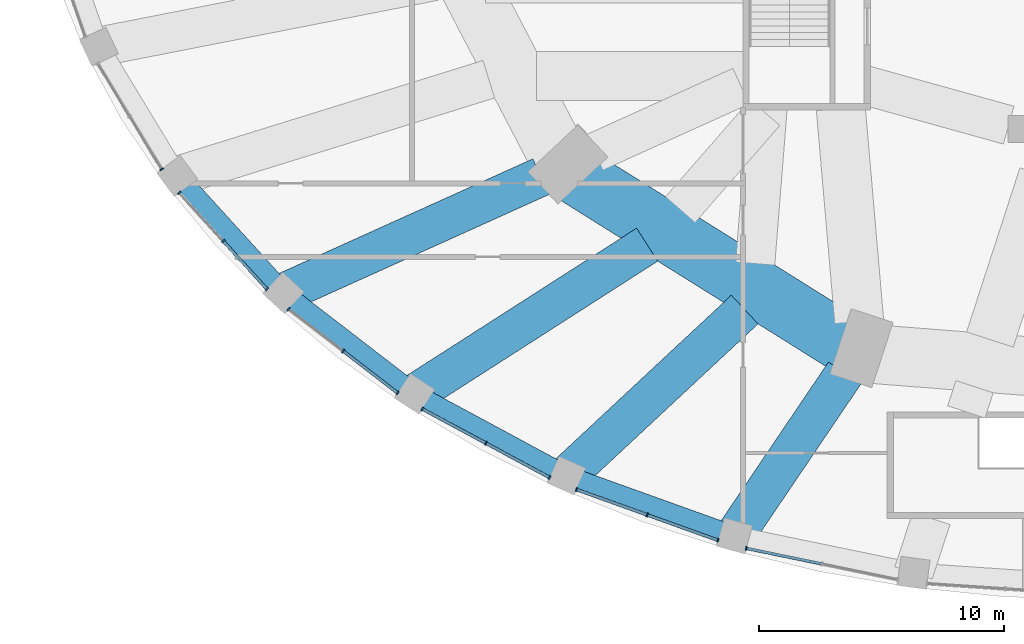
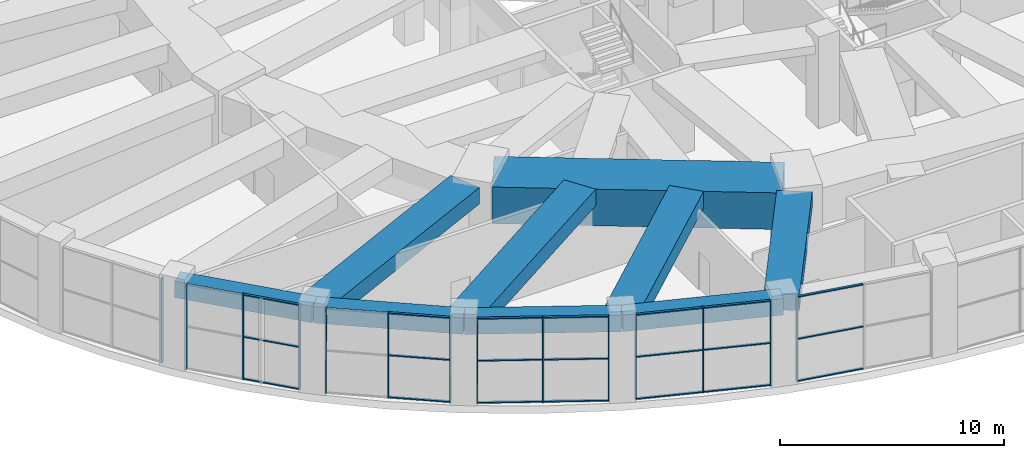
# One storey, part 2 of 30: 35 members, 9 beams, 6 elements without a shape of their own.
"""IFC4 building model written with IfcOpenShell, lengths in metres."""

from ifc_helpers import new_model, si_unit, direction, frame, origin, origin_2d, place, context, subcontext, project, spatial, rectangle, extrude, material, material_profile, profile_set, type_object, element, aggregate, save


model = new_model("IFC4")

# Units and contexts
model_context = context("Model", 3, precision=1e-05, world=origin(), true_north=direction((0.0, 1.0)))
body_context = subcontext(model_context, "Body", "Model", "MODEL_VIEW")
ifc_project = project(units=[si_unit("LENGTHUNIT", "METRE"), si_unit("AREAUNIT", "SQUARE_METRE"), si_unit("VOLUMEUNIT", "CUBIC_METRE"), si_unit("PLANEANGLEUNIT", "RADIAN"), si_unit("MASSUNIT", "GRAM", prefix="KILO")], contexts=[model_context])

# Site, building, storey
site_placement = place(None, origin())
site = spatial("IfcSite", under=ifc_project, at=site_placement, CompositionType="ELEMENT")
building_placement = place(site_placement, origin())
building = spatial("IfcBuilding", under=site, at=building_placement, Name="Taillehof Tower", CompositionType="ELEMENT")
storey_placement = place(building_placement, frame((0.0, 0.0, 12.5)))
storey = spatial("IfcBuildingStorey", under=building, at=storey_placement, Name="L02", CompositionType="ELEMENT", Elevation=12.5)

# Beams
ifc_material_1 = material(Name="Concrete C50/60", Category="concrete")
ifc_material_profile_1 = material_profile(ifc_material_1, rectangle(XDim=0.800048828125, YDim=0.89990234375, at=origin_2d()), Name="RC 800x900")
ifc_profile_set_1 = profile_set([ifc_material_profile_1], Name="Concrete C50/60")
beam_type_1 = type_object("IfcBeamType", Name="Podium edge beam C50/60 800x900", PredefinedType="BEAM", material=ifc_profile_set_1)
beam_1_placement = place(storey_placement, frame((-37.58544921875, -16.699951171875, 4.199951171875), z_axis=(0.67297994181, -0.739660731634, 0.0), x_axis=(0.739660731634, 0.67297994181, 0.0)))
element("IfcBeam", 1, at=beam_1_placement, inside=storey, type_object=beam_type_1, Name="Podium edge beam PB22", PredefinedType="BEAM", context=body_context, shape_type="SweptSolid", body=[
    extrude(rectangle(XDim=0.800048828125, YDim=0.89990234375, at=origin_2d()), origin(), (0.0, 0.0, 1.0), 6.447509765625),
])
beam_2_placement = place(storey_placement, frame((-33.246337890625, -21.468994140625, 4.199951171875), z_axis=(0.79247741179, -0.609901263978, 0.0), x_axis=(0.609901263978, 0.79247741179, 0.0)))
element("IfcBeam", 2, at=beam_2_placement, inside=storey, type_object=beam_type_1, Name="Podium edge beam PB23", PredefinedType="BEAM", context=body_context, shape_type="SweptSolid", body=[
    extrude(rectangle(XDim=0.800048828125, YDim=0.89990234375, at=origin_2d()), origin(), (0.0, 0.0, 1.0), 6.750244140625),
])
beam_3_placement = place(storey_placement, frame((-27.89697265625, -25.5859375, 4.199951171875), z_axis=(0.880322944269, -0.474374866317, 0.0), x_axis=(0.474374866317, 0.880322944269, 0.0)))
element("IfcBeam", 3, at=beam_3_placement, inside=storey, type_object=beam_type_1, Name="Podium edge beam PB24", PredefinedType="BEAM", context=body_context, shape_type="SweptSolid", body=[
    extrude(rectangle(XDim=0.800048828125, YDim=0.89990234375, at=origin_2d()), origin(), (0.0, 0.0, 1.0), 7.03955078125),
])
beam_4_placement = place(storey_placement, frame((-21.699951171875, -28.92529296875, 4.199951171875), z_axis=(0.941227460002, -0.337773398209, 0.0), x_axis=(0.337773398209, 0.941227460002, 0.0)))
element("IfcBeam", 4, at=beam_4_placement, inside=storey, type_object=beam_type_1, Name="Podium edge beam PB25", PredefinedType="BEAM", context=body_context, shape_type="SweptSolid", body=[
    extrude(rectangle(XDim=0.800048828125, YDim=0.89990234375, at=origin_2d()), origin(), (0.0, 0.0, 1.0), 7.284423828125),
])
ifc_material_2 = material(Name="Concrete C50/60", Category="concrete")
ifc_material_profile_2 = material_profile(ifc_material_2, rectangle(XDim=1.60009765625, YDim=0.89990234375, at=origin_2d()), Name="RC 1600x900")
ifc_profile_set_2 = profile_set([ifc_material_profile_2], Name="Concrete C50/60")
beam_type_2 = type_object("IfcBeamType", Name="Podium radial beam C50/60 1600x900", PredefinedType="BEAM", material=ifc_profile_set_2)
beam_5_placement = place(storey_placement, frame((-33.246337890625, -21.468994140625, 4.199951171875), z_axis=(0.911449764293, 0.411411384347, 0.0), x_axis=(-0.411411384347, 0.911449764293, 0.0)))
element("IfcBeam", 5, at=beam_5_placement, inside=storey, type_object=beam_type_2, Name="Podium radial beam PR23", PredefinedType="BEAM", context=body_context, shape_type="SweptSolid", body=[
    extrude(rectangle(XDim=1.60009765625, YDim=0.89990234375, at=origin_2d()), origin(), (0.0, 0.0, 1.0), 11.5283203125),
])
beam_6_placement = place(storey_placement, frame((-27.89697265625, -25.5859375, 4.199951171875), z_axis=(0.841842051914, 0.539723966143, 0.0), x_axis=(-0.539723966143, 0.841842051914, 0.0)))
element("IfcBeam", 6, at=beam_6_placement, inside=storey, type_object=beam_type_2, Name="Podium radial beam PR24", PredefinedType="BEAM", context=body_context, shape_type="SweptSolid", body=[
    extrude(rectangle(XDim=1.60009765625, YDim=0.89990234375, at=origin_2d()), origin(), (0.0, 0.0, 1.0), 11.273681640625),
])
beam_7_placement = place(storey_placement, frame((-21.699951171875, -28.92529296875, 4.199951171875), z_axis=(0.73162271707, 0.681709762191, 0.0), x_axis=(-0.681709762191, 0.73162271707, 0.0)))
element("IfcBeam", 7, at=beam_7_placement, inside=storey, type_object=beam_type_2, Name="Podium radial beam PR25", PredefinedType="BEAM", context=body_context, shape_type="SweptSolid", body=[
    extrude(rectangle(XDim=1.60009765625, YDim=0.89990234375, at=origin_2d()), origin(), (0.0, 0.0, 1.0), 9.939208984375),
])
beam_8_placement = place(storey_placement, frame((-14.84375, -31.3857421875, 4.199951171875), z_axis=(0.560389186036, 0.828229412768, 0.0), x_axis=(-0.828229412768, 0.560389186036, 0.0)))
element("IfcBeam", 8, at=beam_8_placement, inside=storey, type_object=beam_type_2, Name="Podium radial beam PR26", PredefinedType="BEAM", context=body_context, shape_type="SweptSolid", body=[
    extrude(rectangle(XDim=1.60009765625, YDim=0.89990234375, at=origin_2d()), origin(), (0.0, 0.0, 1.0), 8.023193359375),
])

# Curtain wall, member
ifc_material_3 = material(Name="Aluminium curtain wall with Clear low-emissivity double glazing", Category="aluminium")
curtain_wall_type = type_object("IfcCurtainWallType", Name="Podium window wall curtain wall", PredefinedType="USERDEFINED", material=ifc_material_3)
curtain_wall_1_placement = place(storey_placement, origin())
curtain_wall_1 = element("IfcCurtainWall", 9, at=curtain_wall_1_placement, inside=storey, type_object=curtain_wall_type, Name="Podium window wall L02 bay 21", ObjectType="WINDOW WALL", PredefinedType="USERDEFINED")
ifc_material_4 = material(Name="Aluminium mullion", Category="aluminium")
ifc_material_profile_3 = material_profile(ifc_material_4, rectangle(XDim=0.159912109375, YDim=0.06005859375, at=origin_2d()), Name="AL 60x160")
ifc_profile_set_3 = profile_set([ifc_material_profile_3], Name="Aluminium mullion")
member_type_1 = type_object("IfcMemberType", Name="Podium window wall mullion 60x160", PredefinedType="MULLION", material=ifc_profile_set_3)
member_1_placement = place(storey_placement, frame((-38.217529296875, -16.42333984375, 0.0), z_axis=(0.0, 0.0, 1.0), x_axis=(0.855288863309, 0.518151483931, 0.0)))
member_1 = element("IfcMember", 10, at=member_1_placement, type_object=member_type_1, Name="CT221 mullion 3", PredefinedType="MULLION", context=body_context, shape_type="SweptSolid", body=[
    extrude(rectangle(XDim=0.159912109375, YDim=0.06005859375, at=origin_2d()), origin(), (0.0, 0.0, 1.0), 4.64990234375),
])
aggregate(curtain_wall_1, [member_1])

# Curtain wall, members
curtain_wall_2_placement = place(storey_placement, origin())
curtain_wall_2 = element("IfcCurtainWall", 11, at=curtain_wall_2_placement, inside=storey, type_object=curtain_wall_type, Name="Podium window wall L02 bay 22", ObjectType="WINDOW WALL", PredefinedType="USERDEFINED")
member_2_placement = place(storey_placement, frame((-37.49951171875, -17.384765625, 0.0), z_axis=(0.0, 0.0, 1.0), x_axis=(0.739707112587, 0.672928961769, 0.0)))
member_2 = element("IfcMember", 12, at=member_2_placement, type_object=member_type_1, Name="CT222 mullion 1", PredefinedType="MULLION", context=body_context, shape_type="SweptSolid", body=[
    extrude(rectangle(XDim=0.159912109375, YDim=0.06005859375, at=origin_2d()), origin(), (0.0, 0.0, 1.0), 4.64990234375),
])
member_3_placement = place(storey_placement, frame((-35.7109375, -19.35107421875, 0.0), z_axis=(0.0, 0.0, 1.0), x_axis=(0.739707112587, 0.672928961769, 0.0)))
member_3 = element("IfcMember", 13, at=member_3_placement, type_object=member_type_1, Name="CT222 mullion 2", PredefinedType="MULLION", context=body_context, shape_type="SweptSolid", body=[
    extrude(rectangle(XDim=0.159912109375, YDim=0.06005859375, at=origin_2d()), origin(), (0.0, 0.0, 1.0), 4.64990234375),
])
member_4_placement = place(storey_placement, frame((-33.922119140625, -21.317138671875, 0.0), z_axis=(0.0, 0.0, 1.0), x_axis=(0.739707112587, 0.672928961769, 0.0)))
member_4 = element("IfcMember", 14, at=member_4_placement, type_object=member_type_1, Name="CT222 mullion 3", PredefinedType="MULLION", context=body_context, shape_type="SweptSolid", body=[
    extrude(rectangle(XDim=0.159912109375, YDim=0.06005859375, at=origin_2d()), origin(), (0.0, 0.0, 1.0), 4.64990234375),
])

curtain_wall_3_placement = place(storey_placement, origin())
curtain_wall_3 = element("IfcCurtainWall", 15, at=curtain_wall_3_placement, inside=storey, type_object=curtain_wall_type, Name="Podium window wall L02 bay 23", ObjectType="WINDOW WALL", PredefinedType="USERDEFINED")
member_5_placement = place(storey_placement, frame((-33.03955078125, -22.130126953125, 0.0), z_axis=(0.0, 0.0, 1.0), x_axis=(0.60993206075, 0.792453709228, 0.0)))
member_5 = element("IfcMember", 16, at=member_5_placement, type_object=member_type_1, Name="CT223 mullion 1", PredefinedType="MULLION", context=body_context, shape_type="SweptSolid", body=[
    extrude(rectangle(XDim=0.159912109375, YDim=0.06005859375, at=origin_2d()), origin(), (0.0, 0.0, 1.0), 4.64990234375),
])
member_6_placement = place(storey_placement, frame((-30.8154296875, -23.842041015625, 0.0), z_axis=(0.0, 0.0, 1.0), x_axis=(0.60993206075, 0.792453709228, 0.0)))
member_6 = element("IfcMember", 17, at=member_6_placement, type_object=member_type_1, Name="CT223 mullion 2", PredefinedType="MULLION", context=body_context, shape_type="SweptSolid", body=[
    extrude(rectangle(XDim=0.159912109375, YDim=0.06005859375, at=origin_2d()), origin(), (0.0, 0.0, 1.0), 4.64990234375),
])
member_7_placement = place(storey_placement, frame((-28.59130859375, -25.5537109375, 0.0), z_axis=(0.0, 0.0, 1.0), x_axis=(0.60993206075, 0.792453709228, 0.0)))
member_7 = element("IfcMember", 18, at=member_7_placement, type_object=member_type_1, Name="CT223 mullion 3", PredefinedType="MULLION", context=body_context, shape_type="SweptSolid", body=[
    extrude(rectangle(XDim=0.159912109375, YDim=0.06005859375, at=origin_2d()), origin(), (0.0, 0.0, 1.0), 4.64990234375),
])

curtain_wall_4_placement = place(storey_placement, origin())
curtain_wall_4 = element("IfcCurtainWall", 19, at=curtain_wall_4_placement, inside=storey, type_object=curtain_wall_type, Name="Podium window wall L02 bay 24", ObjectType="WINDOW WALL", PredefinedType="USERDEFINED")
member_8_placement = place(storey_placement, frame((-27.584228515625, -26.20654296875, 0.0), z_axis=(0.0, 0.0, 1.0), x_axis=(0.474414781992, 0.880301433958, 0.0)))
member_8 = element("IfcMember", 20, at=member_8_placement, type_object=member_type_1, Name="CT224 mullion 1", PredefinedType="MULLION", context=body_context, shape_type="SweptSolid", body=[
    extrude(rectangle(XDim=0.159912109375, YDim=0.06005859375, at=origin_2d()), origin(), (0.0, 0.0, 1.0), 4.64990234375),
])
member_9_placement = place(storey_placement, frame((-24.98828125, -27.60546875, 0.0), z_axis=(0.0, 0.0, 1.0), x_axis=(0.474414781992, 0.880301433958, 0.0)))
member_9 = element("IfcMember", 21, at=member_9_placement, type_object=member_type_1, Name="CT224 mullion 2", PredefinedType="MULLION", context=body_context, shape_type="SweptSolid", body=[
    extrude(rectangle(XDim=0.159912109375, YDim=0.06005859375, at=origin_2d()), origin(), (0.0, 0.0, 1.0), 4.64990234375),
])
member_10_placement = place(storey_placement, frame((-22.392333984375, -29.004638671875, 0.0), z_axis=(0.0, 0.0, 1.0), x_axis=(0.474414781992, 0.880301433958, 0.0)))
member_10 = element("IfcMember", 22, at=member_10_placement, type_object=member_type_1, Name="CT224 mullion 3", PredefinedType="MULLION", context=body_context, shape_type="SweptSolid", body=[
    extrude(rectangle(XDim=0.159912109375, YDim=0.06005859375, at=origin_2d()), origin(), (0.0, 0.0, 1.0), 4.64990234375),
])

curtain_wall_5_placement = place(storey_placement, origin())
curtain_wall_5 = element("IfcCurtainWall", 23, at=curtain_wall_5_placement, inside=storey, type_object=curtain_wall_type, Name="Podium window wall L02 bay 25", ObjectType="WINDOW WALL", PredefinedType="USERDEFINED")
member_11_placement = place(storey_placement, frame((-21.29638671875, -29.4931640625, 0.0), z_axis=(0.0, 0.0, 1.0), x_axis=(0.337798502496, 0.94121845058, 0.0)))
member_11 = element("IfcMember", 24, at=member_11_placement, type_object=member_type_1, Name="CT225 mullion 1", PredefinedType="MULLION", context=body_context, shape_type="SweptSolid", body=[
    extrude(rectangle(XDim=0.159912109375, YDim=0.06005859375, at=origin_2d()), origin(), (0.0, 0.0, 1.0), 4.64990234375),
])
member_12_placement = place(storey_placement, frame((-18.4072265625, -30.5302734375, 0.0), z_axis=(0.0, 0.0, 1.0), x_axis=(0.337798502496, 0.94121845058, 0.0)))
member_12 = element("IfcMember", 25, at=member_12_placement, type_object=member_type_1, Name="CT225 mullion 2", PredefinedType="MULLION", context=body_context, shape_type="SweptSolid", body=[
    extrude(rectangle(XDim=0.159912109375, YDim=0.06005859375, at=origin_2d()), origin(), (0.0, 0.0, 1.0), 4.64990234375),
])
member_13_placement = place(storey_placement, frame((-15.51806640625, -31.567138671875, 0.0), z_axis=(0.0, 0.0, 1.0), x_axis=(0.337798502496, 0.94121845058, 0.0)))
member_13 = element("IfcMember", 26, at=member_13_placement, type_object=member_type_1, Name="CT225 mullion 3", PredefinedType="MULLION", context=body_context, shape_type="SweptSolid", body=[
    extrude(rectangle(XDim=0.159912109375, YDim=0.06005859375, at=origin_2d()), origin(), (0.0, 0.0, 1.0), 4.64990234375),
])

# Curtain wall, member
curtain_wall_6_placement = place(storey_placement, origin())
curtain_wall_6 = element("IfcCurtainWall", 27, at=curtain_wall_6_placement, inside=storey, type_object=curtain_wall_type, Name="Podium window wall L02 bay 26", ObjectType="WINDOW WALL", PredefinedType="USERDEFINED")
member_14_placement = place(storey_placement, frame((-14.36279296875, -31.891845703125, 0.0), z_axis=(0.0, 0.0, 1.0), x_axis=(0.201976001877, 0.97939047099, 0.0)))
member_14 = element("IfcMember", 28, at=member_14_placement, type_object=member_type_1, Name="CT226 mullion 1", PredefinedType="MULLION", context=body_context, shape_type="SweptSolid", body=[
    extrude(rectangle(XDim=0.159912109375, YDim=0.06005859375, at=origin_2d()), origin(), (0.0, 0.0, 1.0), 4.64990234375),
])

# Member
ifc_material_5 = material(Name="Aluminium transom", Category="aluminium")
ifc_material_profile_4 = material_profile(ifc_material_5, rectangle(XDim=0.1201171875, YDim=0.06005859375, at=origin_2d()), Name="AL 120x60")
ifc_profile_set_4 = profile_set([ifc_material_profile_4], Name="Aluminium transom")
member_type_2 = type_object("IfcMemberType", Name="Podium window wall transom 120x60", PredefinedType="USERDEFINED", material=ifc_profile_set_4)
member_15_placement = place(storey_placement, frame((-35.690673828125, -19.373291015625, 0.030029296875), z_axis=(0.672958072108, -0.73968062918, 0.0), x_axis=(0.73968062918, 0.672958072108, 0.0)))
member_15 = element("IfcMember", 29, at=member_15_placement, type_object=member_type_2, Name="CT222 transom 2.1", ObjectType="TRANSOM", PredefinedType="USERDEFINED", context=body_context, shape_type="SweptSolid", body=[
    extrude(rectangle(XDim=0.1201171875, YDim=0.06005859375, at=origin_2d()), origin(), (0.0, 0.0, 1.0), 2.597900390625),
])

member_16_placement = place(storey_placement, frame((-35.690673828125, -19.373291015625, 2.324951171875), z_axis=(0.672958072108, -0.73968062918, 0.0), x_axis=(0.73968062918, 0.672958072108, 0.0)))
member_16 = element("IfcMember", 30, at=member_16_placement, type_object=member_type_2, Name="CT222 transom 2.2", ObjectType="TRANSOM", PredefinedType="USERDEFINED", context=body_context, shape_type="SweptSolid", body=[
    extrude(rectangle(XDim=0.1201171875, YDim=0.06005859375, at=origin_2d()), origin(), (0.0, 0.0, 1.0), 2.597900390625),
])

member_17_placement = place(storey_placement, frame((-35.690673828125, -19.373291015625, 4.6201171875), z_axis=(0.672958072108, -0.73968062918, 0.0), x_axis=(0.73968062918, 0.672958072108, 0.0)))
member_17 = element("IfcMember", 31, at=member_17_placement, type_object=member_type_2, Name="CT222 transom 2.3", ObjectType="TRANSOM", PredefinedType="USERDEFINED", context=body_context, shape_type="SweptSolid", body=[
    extrude(rectangle(XDim=0.1201171875, YDim=0.06005859375, at=origin_2d()), origin(), (0.0, 0.0, 1.0), 2.597900390625),
])

aggregate(curtain_wall_2, [member_2, member_3, member_4, member_15, member_16, member_17])

member_18_placement = place(storey_placement, frame((-30.79150390625, -23.8603515625, 0.030029296875), z_axis=(0.792481870823, -0.609895470075, 0.0), x_axis=(0.609895470075, 0.792481870823, 0.0)))
member_18 = element("IfcMember", 32, at=member_18_placement, type_object=member_type_2, Name="CT223 transom 2.1", ObjectType="TRANSOM", PredefinedType="USERDEFINED", context=body_context, shape_type="SweptSolid", body=[
    extrude(rectangle(XDim=0.1201171875, YDim=0.06005859375, at=origin_2d()), origin(), (0.0, 0.0, 1.0), 2.746337890625),
])

member_19_placement = place(storey_placement, frame((-30.79150390625, -23.8603515625, 2.324951171875), z_axis=(0.792481870823, -0.609895470075, 0.0), x_axis=(0.609895470075, 0.792481870823, 0.0)))
member_19 = element("IfcMember", 33, at=member_19_placement, type_object=member_type_2, Name="CT223 transom 2.2", ObjectType="TRANSOM", PredefinedType="USERDEFINED", context=body_context, shape_type="SweptSolid", body=[
    extrude(rectangle(XDim=0.1201171875, YDim=0.06005859375, at=origin_2d()), origin(), (0.0, 0.0, 1.0), 2.746337890625),
])

member_20_placement = place(storey_placement, frame((-30.79150390625, -23.8603515625, 4.6201171875), z_axis=(0.792481870823, -0.609895470075, 0.0), x_axis=(0.609895470075, 0.792481870823, 0.0)))
member_20 = element("IfcMember", 34, at=member_20_placement, type_object=member_type_2, Name="CT223 transom 2.3", ObjectType="TRANSOM", PredefinedType="USERDEFINED", context=body_context, shape_type="SweptSolid", body=[
    extrude(rectangle(XDim=0.1201171875, YDim=0.06005859375, at=origin_2d()), origin(), (0.0, 0.0, 1.0), 2.746337890625),
])

aggregate(curtain_wall_3, [member_5, member_6, member_7, member_18, member_19, member_20])

member_21_placement = place(storey_placement, frame((-27.557861328125, -26.220703125, 0.030029296875), z_axis=(0.880281070202, -0.474452566063, 0.0), x_axis=(0.474452566063, 0.880281070202, 0.0)))
member_21 = element("IfcMember", 35, at=member_21_placement, type_object=member_type_2, Name="CT224 transom 1.1", ObjectType="TRANSOM", PredefinedType="USERDEFINED", context=body_context, shape_type="SweptSolid", body=[
    extrude(rectangle(XDim=0.1201171875, YDim=0.06005859375, at=origin_2d()), origin(), (0.0, 0.0, 1.0), 2.888916015625),
])

member_22_placement = place(storey_placement, frame((-27.557861328125, -26.220703125, 2.324951171875), z_axis=(0.880281070202, -0.474452566063, 0.0), x_axis=(0.474452566063, 0.880281070202, 0.0)))
member_22 = element("IfcMember", 36, at=member_22_placement, type_object=member_type_2, Name="CT224 transom 1.2", ObjectType="TRANSOM", PredefinedType="USERDEFINED", context=body_context, shape_type="SweptSolid", body=[
    extrude(rectangle(XDim=0.1201171875, YDim=0.06005859375, at=origin_2d()), origin(), (0.0, 0.0, 1.0), 2.888916015625),
])

member_23_placement = place(storey_placement, frame((-27.557861328125, -26.220703125, 4.6201171875), z_axis=(0.880281070202, -0.474452566063, 0.0), x_axis=(0.474452566063, 0.880281070202, 0.0)))
member_23 = element("IfcMember", 37, at=member_23_placement, type_object=member_type_2, Name="CT224 transom 1.3", ObjectType="TRANSOM", PredefinedType="USERDEFINED", context=body_context, shape_type="SweptSolid", body=[
    extrude(rectangle(XDim=0.1201171875, YDim=0.06005859375, at=origin_2d()), origin(), (0.0, 0.0, 1.0), 2.888916015625),
])

member_24_placement = place(storey_placement, frame((-24.9619140625, -27.619873046875, 0.030029296875), z_axis=(0.880300092261, -0.474417271571, 0.0), x_axis=(0.474417271571, 0.880300092261, 0.0)))
member_24 = element("IfcMember", 38, at=member_24_placement, type_object=member_type_2, Name="CT224 transom 2.1", ObjectType="TRANSOM", PredefinedType="USERDEFINED", context=body_context, shape_type="SweptSolid", body=[
    extrude(rectangle(XDim=0.1201171875, YDim=0.06005859375, at=origin_2d()), origin(), (0.0, 0.0, 1.0), 2.888916015625),
])

member_25_placement = place(storey_placement, frame((-24.9619140625, -27.619873046875, 2.324951171875), z_axis=(0.880300092261, -0.474417271571, 0.0), x_axis=(0.474417271571, 0.880300092261, 0.0)))
member_25 = element("IfcMember", 39, at=member_25_placement, type_object=member_type_2, Name="CT224 transom 2.2", ObjectType="TRANSOM", PredefinedType="USERDEFINED", context=body_context, shape_type="SweptSolid", body=[
    extrude(rectangle(XDim=0.1201171875, YDim=0.06005859375, at=origin_2d()), origin(), (0.0, 0.0, 1.0), 2.888916015625),
])

member_26_placement = place(storey_placement, frame((-24.9619140625, -27.619873046875, 4.6201171875), z_axis=(0.880300092261, -0.474417271571, 0.0), x_axis=(0.474417271571, 0.880300092261, 0.0)))
member_26 = element("IfcMember", 40, at=member_26_placement, type_object=member_type_2, Name="CT224 transom 2.3", ObjectType="TRANSOM", PredefinedType="USERDEFINED", context=body_context, shape_type="SweptSolid", body=[
    extrude(rectangle(XDim=0.1201171875, YDim=0.06005859375, at=origin_2d()), origin(), (0.0, 0.0, 1.0), 2.888916015625),
])

aggregate(curtain_wall_4, [member_8, member_9, member_10, member_21, member_22, member_23, member_24, member_25, member_26])

member_27_placement = place(storey_placement, frame((-21.26806640625, -29.50341796875, 0.030029296875), z_axis=(0.941215836147, -0.337805787081, 0.0), x_axis=(0.337805787081, 0.941215836147, 0.0)))
member_27 = element("IfcMember", 41, at=member_27_placement, type_object=member_type_2, Name="CT225 transom 1.1", ObjectType="TRANSOM", PredefinedType="USERDEFINED", context=body_context, shape_type="SweptSolid", body=[
    extrude(rectangle(XDim=0.1201171875, YDim=0.06005859375, at=origin_2d()), origin(), (0.0, 0.0, 1.0), 3.009521484375),
])

member_28_placement = place(storey_placement, frame((-21.26806640625, -29.50341796875, 2.324951171875), z_axis=(0.941215836147, -0.337805787081, 0.0), x_axis=(0.337805787081, 0.941215836147, 0.0)))
member_28 = element("IfcMember", 42, at=member_28_placement, type_object=member_type_2, Name="CT225 transom 1.2", ObjectType="TRANSOM", PredefinedType="USERDEFINED", context=body_context, shape_type="SweptSolid", body=[
    extrude(rectangle(XDim=0.1201171875, YDim=0.06005859375, at=origin_2d()), origin(), (0.0, 0.0, 1.0), 3.009521484375),
])

member_29_placement = place(storey_placement, frame((-21.26806640625, -29.50341796875, 4.6201171875), z_axis=(0.941215836147, -0.337805787081, 0.0), x_axis=(0.337805787081, 0.941215836147, 0.0)))
member_29 = element("IfcMember", 43, at=member_29_placement, type_object=member_type_2, Name="CT225 transom 1.3", ObjectType="TRANSOM", PredefinedType="USERDEFINED", context=body_context, shape_type="SweptSolid", body=[
    extrude(rectangle(XDim=0.1201171875, YDim=0.06005859375, at=origin_2d()), origin(), (0.0, 0.0, 1.0), 3.009521484375),
])

member_30_placement = place(storey_placement, frame((-18.37890625, -30.540283203125, 0.030029296875), z_axis=(0.941225092519, -0.337779995281, 0.0), x_axis=(0.337779995281, 0.941225092519, 0.0)))
member_30 = element("IfcMember", 44, at=member_30_placement, type_object=member_type_2, Name="CT225 transom 2.1", ObjectType="TRANSOM", PredefinedType="USERDEFINED", context=body_context, shape_type="SweptSolid", body=[
    extrude(rectangle(XDim=0.1201171875, YDim=0.06005859375, at=origin_2d()), origin(), (0.0, 0.0, 1.0), 3.009765625),
])

member_31_placement = place(storey_placement, frame((-18.37890625, -30.540283203125, 2.324951171875), z_axis=(0.941225092519, -0.337779995281, 0.0), x_axis=(0.337779995281, 0.941225092519, 0.0)))
member_31 = element("IfcMember", 45, at=member_31_placement, type_object=member_type_2, Name="CT225 transom 2.2", ObjectType="TRANSOM", PredefinedType="USERDEFINED", context=body_context, shape_type="SweptSolid", body=[
    extrude(rectangle(XDim=0.1201171875, YDim=0.06005859375, at=origin_2d()), origin(), (0.0, 0.0, 1.0), 3.009765625),
])

member_32_placement = place(storey_placement, frame((-18.37890625, -30.540283203125, 4.6201171875), z_axis=(0.941225092519, -0.337779995281, 0.0), x_axis=(0.337779995281, 0.941225092519, 0.0)))
member_32 = element("IfcMember", 46, at=member_32_placement, type_object=member_type_2, Name="CT225 transom 2.3", ObjectType="TRANSOM", PredefinedType="USERDEFINED", context=body_context, shape_type="SweptSolid", body=[
    extrude(rectangle(XDim=0.1201171875, YDim=0.06005859375, at=origin_2d()), origin(), (0.0, 0.0, 1.0), 3.009765625),
])

aggregate(curtain_wall_5, [member_11, member_12, member_13, member_27, member_28, member_29, member_30, member_31, member_32])

member_33_placement = place(storey_placement, frame((-14.333251953125, -31.89794921875, 0.030029296875), z_axis=(0.979389666619, -0.201979902268, 0.0), x_axis=(0.201979902268, 0.979389666619, 0.0)))
member_33 = element("IfcMember", 47, at=member_33_placement, type_object=member_type_2, Name="CT226 transom 1.1", ObjectType="TRANSOM", PredefinedType="USERDEFINED", context=body_context, shape_type="SweptSolid", body=[
    extrude(rectangle(XDim=0.1201171875, YDim=0.06005859375, at=origin_2d()), origin(), (0.0, 0.0, 1.0), 3.0966796875),
])

member_34_placement = place(storey_placement, frame((-14.333251953125, -31.89794921875, 2.324951171875), z_axis=(0.979389666619, -0.201979902268, 0.0), x_axis=(0.201979902268, 0.979389666619, 0.0)))
member_34 = element("IfcMember", 48, at=member_34_placement, type_object=member_type_2, Name="CT226 transom 1.2", ObjectType="TRANSOM", PredefinedType="USERDEFINED", context=body_context, shape_type="SweptSolid", body=[
    extrude(rectangle(XDim=0.1201171875, YDim=0.06005859375, at=origin_2d()), origin(), (0.0, 0.0, 1.0), 3.0966796875),
])

member_35_placement = place(storey_placement, frame((-14.333251953125, -31.89794921875, 4.6201171875), z_axis=(0.979389666619, -0.201979902268, 0.0), x_axis=(0.201979902268, 0.979389666619, 0.0)))
member_35 = element("IfcMember", 49, at=member_35_placement, type_object=member_type_2, Name="CT226 transom 1.3", ObjectType="TRANSOM", PredefinedType="USERDEFINED", context=body_context, shape_type="SweptSolid", body=[
    extrude(rectangle(XDim=0.1201171875, YDim=0.06005859375, at=origin_2d()), origin(), (0.0, 0.0, 1.0), 3.0966796875),
])

aggregate(curtain_wall_6, [member_14, member_33, member_34, member_35])

# Beam
ifc_material_6 = material(Name="Concrete C80/95", Category="concrete")
ifc_material_profile_5 = material_profile(ifc_material_6, rectangle(XDim=2.39990234375, YDim=2.0, at=origin_2d()), Name="RC 2400x2000")
ifc_profile_set_5 = profile_set([ifc_material_profile_5], Name="Concrete C80/95")
beam_type_3 = type_object("IfcBeamType", Name="Transfer girder C80/95 2400x2000", PredefinedType="BEAM", material=ifc_profile_set_5)
beam_9_placement = place(storey_placement, frame((-21.275390625, -16.69482421875, 3.64990234375), z_axis=(0.847669991023, -0.530523879122, 0.0), x_axis=(0.530523879122, 0.847669991023, 0.0)))
element("IfcBeam", 50, at=beam_9_placement, inside=storey, type_object=beam_type_3, Name="Transfer girder TG08", PredefinedType="BEAM", context=body_context, shape_type="SweptSolid", body=[
    extrude(rectangle(XDim=2.39990234375, YDim=2.0, at=origin_2d()), origin(), (0.0, 0.0, 1.0), 12.9990234375),
])

save(model, "model.ifc")
